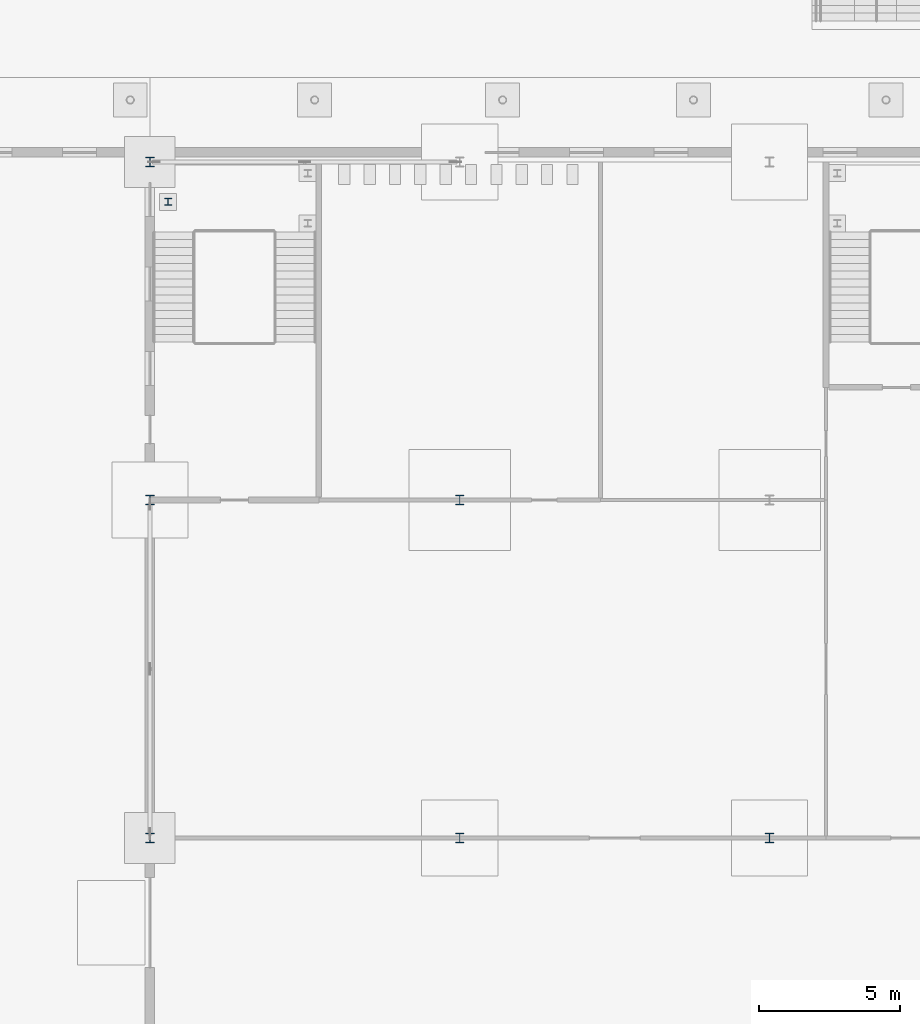
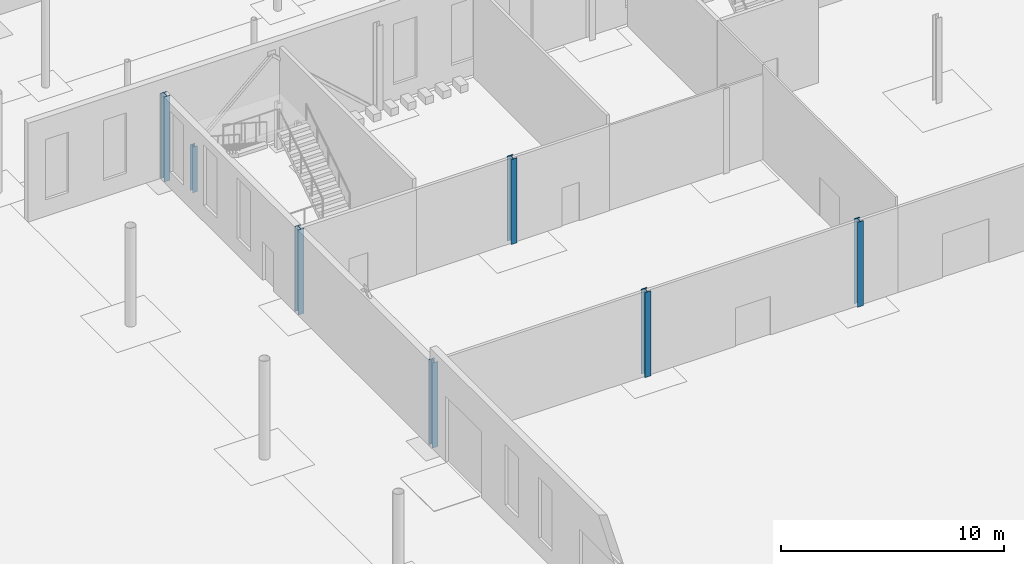
# One storey, part 25 of 132: 7 columns.
"""IFC4 building model written with IfcOpenShell, lengths in metres."""

from ifc_helpers import new_model, si_unit, direction, frame, origin, origin_2d, place, context, subcontext, project, spatial, i_section, extrude, material, material_profile, profile_set, type_object, element, save


model = new_model("IFC4")

# Units and contexts
model_context = context("Model", 3, precision=1e-05, world=origin(), true_north=direction((0.0, 1.0)))
body_context = subcontext(model_context, "Body", "Model", "MODEL_VIEW")
ifc_project = project(units=[si_unit("LENGTHUNIT", "METRE"), si_unit("AREAUNIT", "SQUARE_METRE"), si_unit("VOLUMEUNIT", "CUBIC_METRE"), si_unit("PLANEANGLEUNIT", "RADIAN"), si_unit("MASSUNIT", "GRAM", prefix="KILO")], contexts=[model_context])

# Site, building, storey
site_placement = place(None, origin())
site = spatial("IfcSite", under=ifc_project, at=site_placement, CompositionType="ELEMENT")
building_placement = place(site_placement, origin())
building = spatial("IfcBuilding", under=site, at=building_placement, Name="Ravi Spectrum Wholesale Market", CompositionType="ELEMENT")
storey_placement = place(building_placement, origin())
storey = spatial("IfcBuildingStorey", under=building, at=storey_placement, Name="L00", CompositionType="ELEMENT", Elevation=0.0)

# Columns
ifc_material_1 = material(Name="Steel S355", Category="steel")
ifc_material_profile_1 = material_profile(ifc_material_1, i_section(OverallWidth=0.239990234375, OverallDepth=0.239990234375, WebThickness=0.010009765625, FlangeThickness=0.01708984375, at=origin_2d()))
ifc_profile_set_1 = profile_set([ifc_material_profile_1], Name="Steel S355")
column_type_1 = type_object("IfcColumnType", Name="HEB 240 column", PredefinedType="COLUMN", material=ifc_profile_set_1)
column_placement = place(storey_placement, frame((37.64794921875, 193.5830078125, 0.0), z_axis=(0.0, 0.0, 1.0), x_axis=(1.0, 0.0, 0.0)))
element("IfcColumn", 1, at=column_placement, inside=storey, type_object=column_type_1, Name="H1-COL-L00-077", PredefinedType="COLUMN", context=body_context, shape_type="SweptSolid", body=[
    extrude(i_section(OverallWidth=0.239990234375, OverallDepth=0.239990234375, WebThickness=0.010009765625, FlangeThickness=0.01708984375, at=origin_2d()), origin(), (0.0, 0.0, 1.0), 2.5),
])
ifc_material_2 = material(Name="Steel S355", Category="steel")
ifc_material_profile_2 = material_profile(ifc_material_2, i_section(OverallWidth=0.300048828125, OverallDepth=0.340087890625, WebThickness=0.011962890625, FlangeThickness=0.021484375, at=origin_2d()))
ifc_profile_set_2 = profile_set([ifc_material_profile_2], Name="Steel S355")
column_type_2 = type_object("IfcColumnType", Name="HEB 340 column", PredefinedType="COLUMN", material=ifc_profile_set_2)
for number, where, z_axis, x_axis, name in (
    (2, (37.0, 171.0, 0.0), (0.0, 0.0, 1.0), (1.0, 0.0, 0.0), "H1-COL-L00-056"),
    (3, (37.0, 183.0, 0.0), (0.0, 0.0, 1.0), (1.0, 0.0, 0.0), "H1-COL-L00-057"),
    (4, (37.0, 195.0, 0.0), (0.0, 0.0, 1.0), (1.0, 0.0, 0.0), "H1-COL-L00-058"),
    (5, (48.0, 171.0, 0.0), (0.0, 0.0, 1.0), (1.0, 0.0, 0.0), "H1-COL-L00-059"),
    (6, (48.0, 183.0, 0.0), (0.0, 0.0, 1.0), (1.0, 0.0, 0.0), "H1-COL-L00-060"),
    (7, (59.0, 171.0, 0.0), (0.0, 0.0, 1.0), (1.0, 0.0, 0.0), "H1-COL-L00-062"),
):
    element("IfcColumn", number, at=place(storey_placement, frame(where, z_axis=z_axis, x_axis=x_axis)), inside=storey, type_object=column_type_2, Name=name, PredefinedType="COLUMN", context=body_context, shape_type="SweptSolid", body=[
        extrude(i_section(OverallWidth=0.300048828125, OverallDepth=0.340087890625, WebThickness=0.011962890625, FlangeThickness=0.021484375, at=origin_2d()), origin(), (0.0, 0.0, 1.0), 4.64990234375),
    ])

save(model, "model.ifc")
